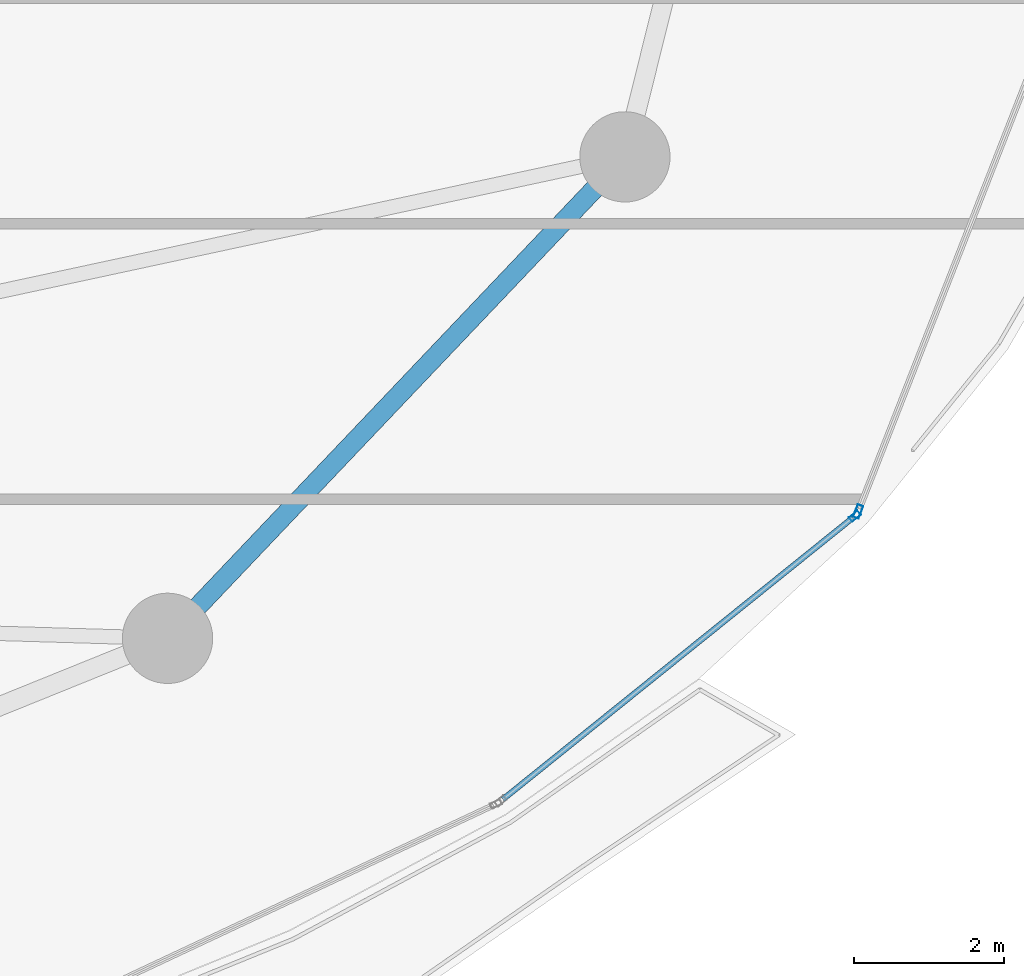
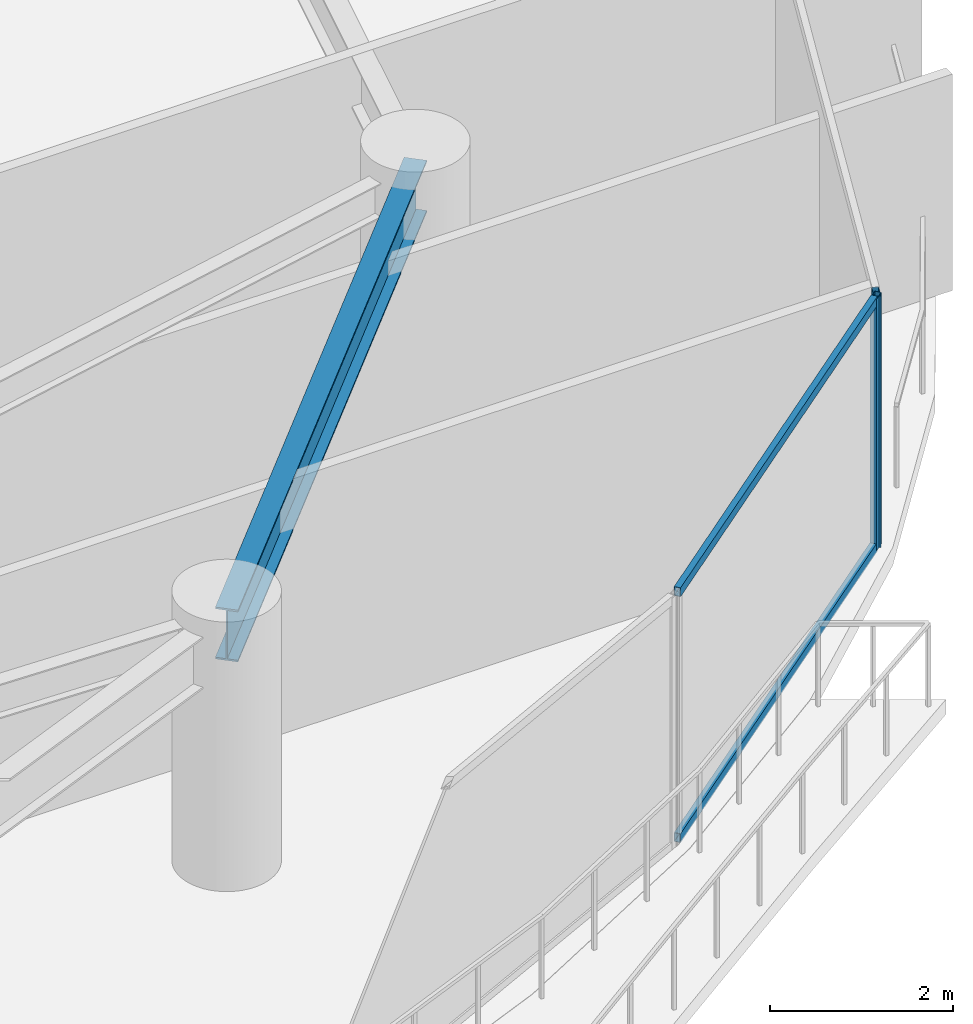
# One storey, part 15 of 34: 4 members, 1 beam, 2 elements without a shape of their own.
"""IFC4 building model written with IfcOpenShell, lengths in metres."""

from ifc_helpers import new_model, si_unit, direction, frame, origin, origin_2d, place, context, subcontext, project, spatial, hollow_rectangle, i_section, extrude, material, layer, layer_set, material_profile, profile_set, type_object, element, aggregate, save


model = new_model("IFC4")

# Units and contexts
model_context = context("Model", 3, precision=1e-05, world=origin(), true_north=direction((0.0, 1.0)))
body_context = subcontext(model_context, "Body", "Model", "MODEL_VIEW")
ifc_project = project(units=[si_unit("LENGTHUNIT", "METRE"), si_unit("AREAUNIT", "SQUARE_METRE"), si_unit("VOLUMEUNIT", "CUBIC_METRE"), si_unit("PLANEANGLEUNIT", "RADIAN"), si_unit("MASSUNIT", "GRAM", prefix="KILO")], contexts=[model_context])

# Site, building, storey
site_placement = place(None, origin())
site = spatial("IfcSite", under=ifc_project, at=site_placement, CompositionType="ELEMENT")
building_placement = place(site_placement, origin())
building = spatial("IfcBuilding", under=site, at=building_placement, Name="Kazevale Care Tower and Concert Hall", CompositionType="ELEMENT")
storey_placement = place(building_placement, frame((0.0, 0.0, 171.0)))
storey = spatial("IfcBuildingStorey", under=building, at=storey_placement, Name="L45", CompositionType="ELEMENT", Elevation=171.0)

# Curtain wall, member
ifc_material_1 = material(Name="Aluminium 6063-T6 and Low-E Glass", Category="aluminium")
ifc_layer_1 = layer(ifc_material_1, 0.179931640625)
ifc_layer_set_1 = layer_set([ifc_layer_1], Name="Aluminium 6063-T6 and Low-E Glass")
curtain_wall_type_1 = type_object("IfcCurtainWallType", Name="Waist & Upper Residential Curtain Wall CW-4", PredefinedType="NOTDEFINED", material=ifc_layer_set_1)
curtain_wall_1_placement = place(storey_placement, origin())
curtain_wall_1 = element("IfcCurtainWall", 1, at=curtain_wall_1_placement, inside=storey, type_object=curtain_wall_type_1, Name="cw:L45:f01", PredefinedType="NOTDEFINED")
ifc_material_2 = material(Name="Aluminium 6063-T6", Category="aluminium")
ifc_material_profile_1 = material_profile(ifc_material_2, hollow_rectangle(XDim=0.080078125, YDim=0.179931640625, WallThickness=0.0048828125, at=origin_2d()), Name="ALU80x180x5")
ifc_profile_set_1 = profile_set([ifc_material_profile_1], Name="Aluminium 6063-T6")
member_type_1 = type_object("IfcMemberType", Name="CW-4 Mullion ALU80x180x5", PredefinedType="MULLION", material=ifc_profile_set_1)
member_1_placement = place(storey_placement, frame((74.010498046875, 24.67529296875, 0.0), z_axis=(0.0, 0.0, 1.0), x_axis=(0.931351746651, -0.36412075471, 0.0)))
member_1 = element("IfcMember", 2, at=member_1_placement, type_object=member_type_1, Name="CW-4 mullion 2", PredefinedType="MULLION", context=body_context, shape_type="SweptSolid", body=[
    extrude(hollow_rectangle(XDim=0.080078125, YDim=0.179931640625, WallThickness=0.0048828125, at=origin_2d()), origin(), (0.0, 0.0, 1.0), 3.360107421875),
])
aggregate(curtain_wall_1, [member_1])

# Curtain wall, members
ifc_layer_2 = layer(ifc_material_1, 0.179931640625)
ifc_layer_set_2 = layer_set([ifc_layer_2], Name="Aluminium 6063-T6 and Low-E Glass")
curtain_wall_type_2 = type_object("IfcCurtainWallType", Name="Sheltered Concave Balcony Curtain Wall CW-5", PredefinedType="NOTDEFINED", material=ifc_layer_set_2)
curtain_wall_2_placement = place(storey_placement, origin())
curtain_wall_2 = element("IfcCurtainWall", 3, at=curtain_wall_2_placement, inside=storey, type_object=curtain_wall_type_2, Name="cw:L45:f02", PredefinedType="NOTDEFINED")
ifc_material_profile_2 = material_profile(ifc_material_2, hollow_rectangle(XDim=0.074951171875, YDim=0.14990234375, WallThickness=0.00390625, at=origin_2d()), Name="ALU75x150x4")
ifc_profile_set_2 = profile_set([ifc_material_profile_2], Name="Aluminium 6063-T6")
member_type_2 = type_object("IfcMemberType", Name="CW-5 Mullion ALU75x150x4", PredefinedType="MULLION", material=ifc_profile_set_2)
member_2_placement = place(storey_placement, frame((73.966796875, 24.614501953125, 0.0), z_axis=(0.0, 0.0, 1.0), x_axis=(0.626905357502, -0.779095419531, 0.0)))
member_2 = element("IfcMember", 4, at=member_2_placement, type_object=member_type_2, Name="CW-5 mullion 1", PredefinedType="MULLION", context=body_context, shape_type="SweptSolid", body=[
    extrude(hollow_rectangle(XDim=0.074951171875, YDim=0.14990234375, WallThickness=0.00390625, at=origin_2d()), origin(), (0.0, 0.0, 1.0), 3.360107421875),
])
ifc_material_profile_3 = material_profile(ifc_material_2, hollow_rectangle(XDim=0.074951171875, YDim=0.1201171875, WallThickness=0.00390625, at=origin_2d()), Name="ALU75x120x4")
ifc_profile_set_3 = profile_set([ifc_material_profile_3], Name="Aluminium 6063-T6")
member_type_3 = type_object("IfcMemberType", Name="CW-5 Transom ALU75x120x4", PredefinedType="USERDEFINED", material=ifc_profile_set_3)
member_3_placement = place(storey_placement, frame((73.9375, 24.591064453125, 0.03759765625), z_axis=(-0.779097461373, -0.626902819966, 0.0), x_axis=(0.626902819966, -0.779097461373, 0.0)))
member_3 = element("IfcMember", 5, at=member_3_placement, type_object=member_type_3, Name="CW-5 transom 1.1", ObjectType="TRANSOM", PredefinedType="USERDEFINED", context=body_context, shape_type="SweptSolid", body=[
    extrude(hollow_rectangle(XDim=0.074951171875, YDim=0.1201171875, WallThickness=0.00390625, at=origin_2d()), origin(), (0.0, 0.0, 1.0), 5.96728515625),
])
member_4_placement = place(storey_placement, frame((73.9375, 24.591064453125, 3.322509765625), z_axis=(-0.779097461373, -0.626902819966, 0.0), x_axis=(0.626902819966, -0.779097461373, 0.0)))
member_4 = element("IfcMember", 6, at=member_4_placement, type_object=member_type_3, Name="CW-5 transom 1.2", ObjectType="TRANSOM", PredefinedType="USERDEFINED", context=body_context, shape_type="SweptSolid", body=[
    extrude(hollow_rectangle(XDim=0.074951171875, YDim=0.1201171875, WallThickness=0.00390625, at=origin_2d()), origin(), (0.0, 0.0, 1.0), 5.96728515625),
])
aggregate(curtain_wall_2, [member_2, member_3, member_4])

# Beam
ifc_material_3 = material(Name="Steel ASTM A572 Gr 50", Category="steel")
ifc_material_profile_4 = material_profile(ifc_material_3, i_section(OverallWidth=0.256103515625, OverallDepth=0.693115234375, WebThickness=0.014404296875, FlangeThickness=0.023681640625, at=origin_2d()), Name="W690x170")
ifc_profile_set_4 = profile_set([ifc_material_profile_4], Name="Steel ASTM A572 Gr 50")
beam_type = type_object("IfcBeamType", Name="Waist Ring Beam W690x170", PredefinedType="BEAM", material=ifc_profile_set_4)
beam_placement = place(storey_placement, frame((64.830078125, 22.989990234375, 3.013427734375), z_axis=(0.688745100728, 0.725003576697, 0.0), x_axis=(-0.725003576697, 0.688745100728, 0.0)))
element("IfcBeam", 7, at=beam_placement, inside=storey, type_object=beam_type, Name="beam:L45:ring:15", PredefinedType="BEAM", context=body_context, shape_type="SweptSolid", body=[
    extrude(i_section(OverallWidth=0.256103515625, OverallDepth=0.693115234375, WebThickness=0.014404296875, FlangeThickness=0.023681640625, at=origin_2d()), origin(), (0.0, 0.0, 1.0), 8.827392578125),
])

save(model, "model.ifc")
